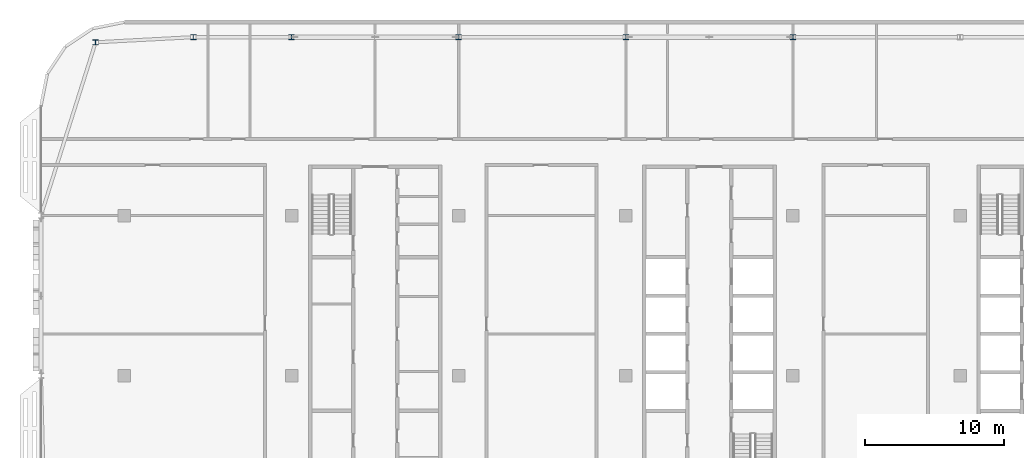
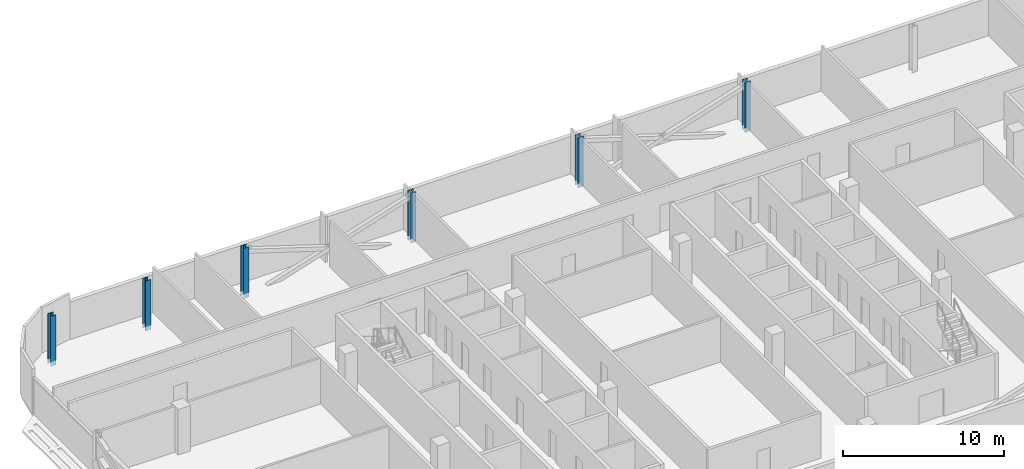
# One storey, part 3 of 28: 6 columns.
"""IFC4 building model written with IfcOpenShell, lengths in metres."""

from ifc_helpers import new_model, si_unit, direction, frame, origin, origin_2d, place, context, subcontext, project, spatial, i_section, extrude, material, material_profile, profile_set, type_object, element, save


model = new_model("IFC4")

# Units and contexts
model_context = context("Model", 3, precision=1e-05, world=origin(), true_north=direction((0.0, 1.0)))
body_context = subcontext(model_context, "Body", "Model", "MODEL_VIEW")
ifc_project = project(units=[si_unit("LENGTHUNIT", "METRE"), si_unit("AREAUNIT", "SQUARE_METRE"), si_unit("VOLUMEUNIT", "CUBIC_METRE"), si_unit("PLANEANGLEUNIT", "RADIAN"), si_unit("MASSUNIT", "GRAM", prefix="KILO")], contexts=[model_context])

# Site, building, storey
site_placement = place(None, origin())
site = spatial("IfcSite", under=ifc_project, at=site_placement, CompositionType="ELEMENT")
building_placement = place(site_placement, origin())
building = spatial("IfcBuilding", under=site, at=building_placement, Name="Mahtab Terrace Research Tower", CompositionType="ELEMENT")
storey_placement = place(building_placement, frame((0.0, 0.0, 270.89990234375)))
storey = spatial("IfcBuildingStorey", under=building, at=storey_placement, Name="L66", CompositionType="ELEMENT", Elevation=270.89990234375)

# Columns
ifc_material = material(Name="Steel ASTM A992 Gr 50", Category="steel")
ifc_material_profile = material_profile(ifc_material, i_section(OverallWidth=0.393798828125, OverallDepth=0.3759765625, WebThickness=0.017333984375, FlangeThickness=0.027587890625, at=origin_2d()), Name="W14X145")
ifc_profile_set = profile_set([ifc_material_profile], Name="Steel ASTM A992 Gr 50")
column_type = type_object("IfcColumnType", Name="W14x145 column CS14145", PredefinedType="COLUMN", material=ifc_profile_set)
for number, where, z_axis, x_axis, name in (
    (1, (6.0, 24.306884765625, -0.33984375), (0.0, 0.0, 1.0), (1.0, 0.0, 0.0), "Column SC-074 L66"),
    (2, (-6.0, 24.306884765625, -0.33984375), (0.0, 0.0, 1.0), (1.0, 0.0, 0.0), "Column SC-075 L66"),
    (3, (-18.0, 24.306884765625, -0.33984375), (0.0, 0.0, 1.0), (1.0, 0.0, 0.0), "Column SC-076 L66"),
    (4, (-30.0, 24.306884765625, -0.33984375), (0.0, 0.0, 1.0), (1.0, 0.0, 0.0), "Column SC-077 L66"),
    (5, (-37.05810546875, 24.306884765625, -0.33984375), (0.0, 0.0, 1.0), (1.0, 0.0, 0.0), "Column SC-078 L66"),
    (6, (-44.072021484375, 23.93701171875, -0.33984375), (0.0, 0.0, 1.0), (1.0, 0.0, 0.0), "Column SC-079 L66"),
):
    element("IfcColumn", number, at=place(storey_placement, frame(where, z_axis=z_axis, x_axis=x_axis)), inside=storey, type_object=column_type, Name=name, PredefinedType="COLUMN", context=body_context, shape_type="SweptSolid", body=[
        extrude(i_section(OverallWidth=0.393798828125, OverallDepth=0.3759765625, WebThickness=0.017333984375, FlangeThickness=0.027587890625, at=origin_2d()), origin(), (0.0, 0.0, 1.0), 3.800048828125),
    ])

save(model, "model.ifc")
